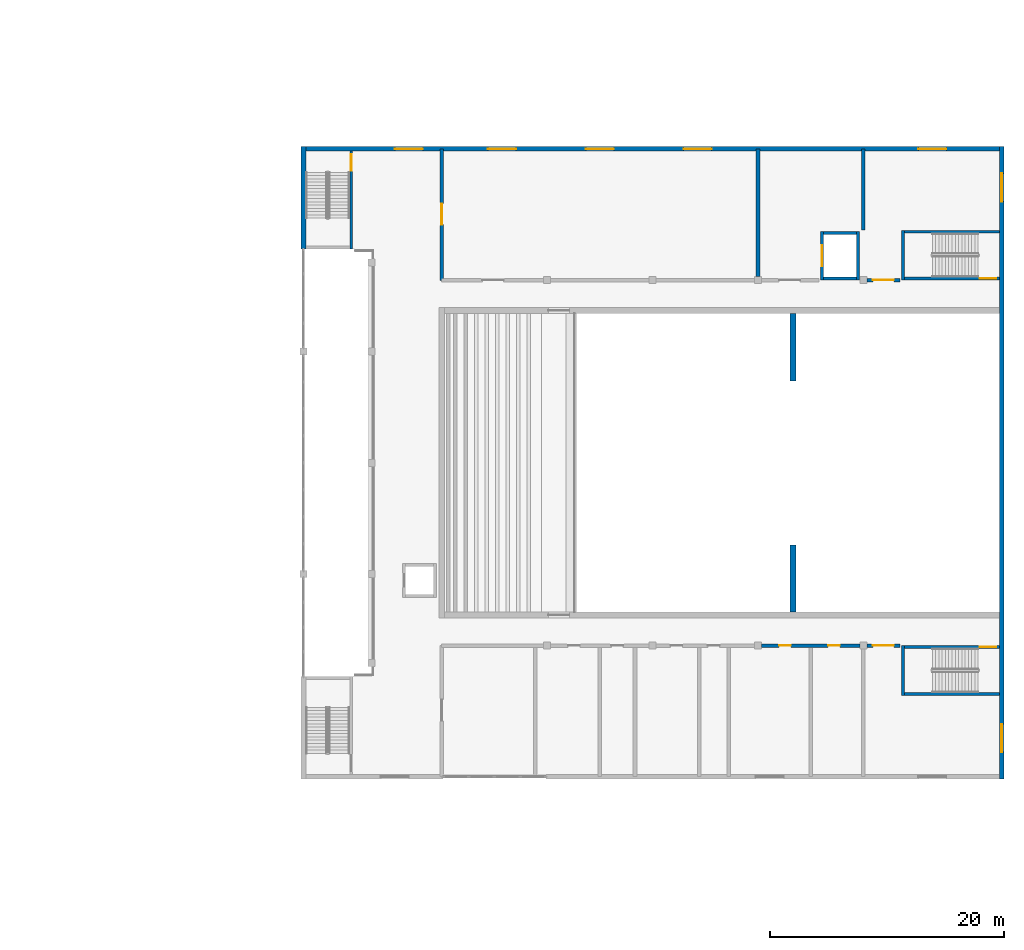
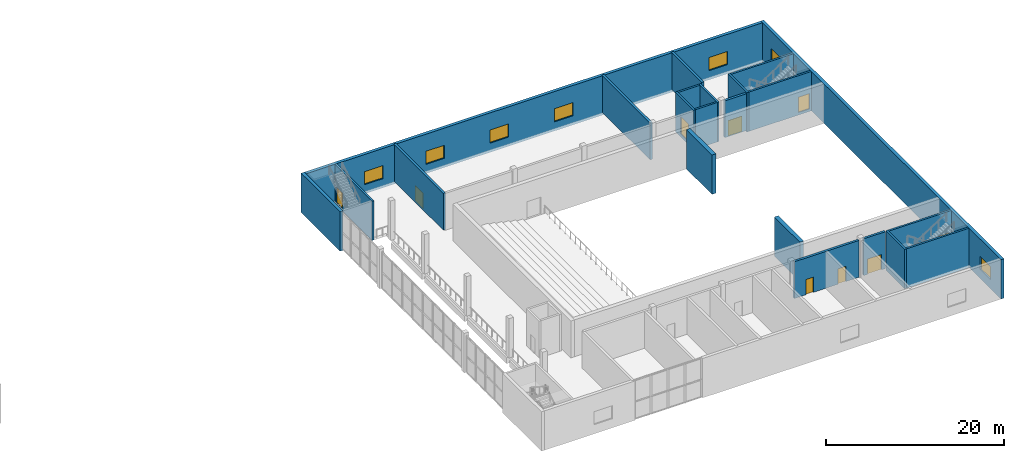
# One storey, part 23 of 43: 22 walls, 9 doors, 7 windows, 16 openings.
"""IFC4 building model written with IfcOpenShell, lengths in metres."""

from ifc_helpers import new_model, si_unit, direction, frame, frame_2d, origin, place, context, subcontext, project, spatial, rectangle, extrude, material, layer, layer_set, type_object, element, fill, save


model = new_model("IFC4")

# Units and contexts
model_context = context("Model", 3, precision=1e-05, world=origin(), true_north=direction((0.0, 1.0)))
body_context = subcontext(model_context, "Body", "Model", "MODEL_VIEW")
ifc_project = project(units=[si_unit("LENGTHUNIT", "METRE"), si_unit("AREAUNIT", "SQUARE_METRE"), si_unit("VOLUMEUNIT", "CUBIC_METRE"), si_unit("PLANEANGLEUNIT", "RADIAN"), si_unit("MASSUNIT", "GRAM", prefix="KILO")], contexts=[model_context])

# Site, building, storey
site_placement = place(None, origin())
site = spatial("IfcSite", under=ifc_project, at=site_placement, CompositionType="ELEMENT")
building_placement = place(site_placement, origin())
building = spatial("IfcBuilding", under=site, at=building_placement, Name="Hunhe Ridgeline Campus", CompositionType="ELEMENT")
storey_placement = place(building_placement, frame((0.0, 0.0, 11.39990234375)))
storey = spatial("IfcBuildingStorey", under=building, at=storey_placement, Name="L02", CompositionType="ELEMENT", Elevation=11.39990234375)

# Walls
ifc_material_1 = material(Name="Concrete C50", Category="concrete")
ifc_layer_1 = layer(ifc_material_1, 0.5)
ifc_layer_set_1 = layer_set([ifc_layer_1], Name="Auditorium RC wall 500 C50")
wall_type_1 = type_object("IfcWallType", Name="Auditorium RC wall 500 C50", PredefinedType="SOLIDWALL", material=ifc_layer_set_1)
for number, where, z_axis, x_axis, name in (
    (1, (192.0, 36.75, -0.349853515625), (0.0, 0.0, 1.0), (0.0, 1.0, 0.0), "Auditorium RC wall L02"),
    (2, (192.0, 56.5, -0.349853515625), (0.0, 0.0, 1.0), (0.0, 1.0, 0.0), "Auditorium RC wall L02"),
):
    element("IfcWall", number, at=place(storey_placement, frame(where, z_axis=z_axis, x_axis=x_axis)), inside=storey, type_object=wall_type_1, Name=name, PredefinedType="SOLIDWALL", context=body_context, shape_type="SweptSolid", body=[
        extrude(rectangle(XDim=5.75, YDim=0.5, at=frame_2d((2.875, 0.0))), origin(), (0.0, 0.0, 1.0), 5.39990234375),
    ])

# Wall, opening, door
ifc_material_2 = material(Name="Plastered blockwork", Category="masonry")
ifc_layer_2 = layer(ifc_material_2, 0.300048828125)
ifc_layer_set_2 = layer_set([ifc_layer_2], Name="Hall blockwork partition 300")
wall_type_2 = type_object("IfcWallType", Name="Hall blockwork partition 300", PredefinedType="PARTITIONING", material=ifc_layer_set_2)
wall_1_placement = place(storey_placement, frame((162.0, 65.080078125, 0.0), z_axis=(0.0, 0.0, 1.0), x_axis=(0.0, 1.0, 0.0)))
wall_1 = element("IfcWall", 3, at=wall_1_placement, inside=storey, type_object=wall_type_2, Name="L02 partition", PredefinedType="PARTITIONING", context=body_context, shape_type="SweptSolid", body=[
    extrude(rectangle(XDim=11.18994140625, YDim=0.300048828125, at=frame_2d((5.594970703125, 0.0))), origin(), (0.0, 0.0, 1.0), 5.050048828125),
])
opening_1_placement = place(wall_1_placement, frame((4.75, 0.0, 0.0)))
opening_1 = element("IfcOpeningElement", 4, at=opening_1_placement, cuts=wall_1, Name="Opening HD41", PredefinedType="OPENING", context=body_context, shape_type="SweptSolid", body=[
    extrude(rectangle(XDim=1.800048828125, YDim=2.10009765625, at=frame_2d((0.89990234375, 1.050048828125))), frame((0.0, 0.14990234375, 0.0), z_axis=(0.0, -1.0, 0.0), x_axis=(1.0, 0.0, 0.0)), (0.0, 0.0, 1.0), 0.300048828125),
])
ifc_material_3 = material(Name="Timber", Category="wood")
door_type_1 = type_object("IfcDoorType", Name="Hall timber double door 1800x2100", OperationType="DOUBLE_DOOR_SINGLE_SWING", PredefinedType="DOOR", material=ifc_material_3)
door_1_placement = place(opening_1_placement, origin())
door_1 = element("IfcDoor", 5, at=door_1_placement, inside=storey, type_object=door_type_1, Name="Rehearsal hall door", OperationType="DOUBLE_DOOR_SINGLE_SWING", OverallHeight=2.10009765625, OverallWidth=1.800048828125, PredefinedType="DOOR", context=body_context, shape_type="SweptSolid", body=[
    extrude(rectangle(XDim=1.800048828125, YDim=2.10009765625, at=frame_2d((0.89990234375, 1.050048828125))), frame((0.0, 0.02490234375, 0.0), z_axis=(0.0, -1.0, 0.0), x_axis=(1.0, 0.0, 0.0)), (0.0, 0.0, 1.0), 0.050048828125),
])
fill(opening_1, door_1)

# Wall, openings, doors
wall_2_placement = place(storey_placement, frame((189.300048828125, 33.89990234375, 0.0), z_axis=(0.0, 0.0, 1.0), x_axis=(1.0, 0.0, 0.0)))
wall_2 = element("IfcWall", 6, at=wall_2_placement, inside=storey, type_object=wall_type_2, Name="L02 partition", PredefinedType="PARTITIONING", context=body_context, shape_type="SweptSolid", body=[
    extrude(rectangle(XDim=8.39990234375, YDim=0.300048828125, at=frame_2d((4.199951171875, 0.0))), origin(), (0.0, 0.0, 1.0), 5.050048828125),
])
opening_2_placement = place(wall_2_placement, frame((1.5, 0.0, 0.0)))
opening_2 = element("IfcOpeningElement", 7, at=opening_2_placement, cuts=wall_2, Name="Opening HD38", PredefinedType="OPENING", context=body_context, shape_type="SweptSolid", body=[
    extrude(rectangle(XDim=1.0, YDim=2.10009765625, at=frame_2d((0.5, 1.050048828125))), frame((0.0, 0.14990234375, 0.0), z_axis=(0.0, -1.0, 0.0), x_axis=(1.0, 0.0, 0.0)), (0.0, 0.0, 1.0), 0.300048828125),
])
opening_3_placement = place(wall_2_placement, frame((5.679931640625, 0.0, 0.0)))
opening_3 = element("IfcOpeningElement", 8, at=opening_3_placement, cuts=wall_2, Name="Opening HD39", PredefinedType="OPENING", context=body_context, shape_type="SweptSolid", body=[
    extrude(rectangle(XDim=1.0, YDim=2.10009765625, at=frame_2d((0.5, 1.050048828125))), frame((0.0, 0.14990234375, 0.0), z_axis=(0.0, -1.0, 0.0), x_axis=(1.0, 0.0, 0.0)), (0.0, 0.0, 1.0), 0.300048828125),
])
door_type_2 = type_object("IfcDoorType", Name="Hall timber door 1000x2100", OperationType="NOTDEFINED", PredefinedType="DOOR", material=ifc_material_3)
door_2_placement = place(opening_2_placement, origin())
door_2 = element("IfcDoor", 9, at=door_2_placement, inside=storey, type_object=door_type_2, Name="Restaurant kitchen door", OperationType="SINGLE_SWING_LEFT", OverallHeight=2.10009765625, OverallWidth=1.0, PredefinedType="DOOR", context=body_context, shape_type="SweptSolid", body=[
    extrude(rectangle(XDim=1.0, YDim=2.10009765625, at=frame_2d((0.5, 1.050048828125))), frame((0.0, 0.02490234375, 0.0), z_axis=(0.0, -1.0, 0.0), x_axis=(1.0, 0.0, 0.0)), (0.0, 0.0, 1.0), 0.050048828125),
])
fill(opening_2, door_2)
door_3_placement = place(opening_3_placement, origin())
door_3 = element("IfcDoor", 10, at=door_3_placement, inside=storey, type_object=door_type_2, Name="Restaurant store door", OperationType="SINGLE_SWING_RIGHT", OverallHeight=2.10009765625, OverallWidth=1.0, PredefinedType="DOOR", context=body_context, shape_type="SweptSolid", body=[
    extrude(rectangle(XDim=1.0, YDim=2.10009765625, at=frame_2d((0.5, 1.050048828125))), frame((0.0, 0.02490234375, 0.0), z_axis=(0.0, -1.0, 0.0), x_axis=(1.0, 0.0, 0.0)), (0.0, 0.0, 1.0), 0.050048828125),
])
fill(opening_3, door_3)

# Wall, opening, door
wall_3_placement = place(storey_placement, frame((198.300048828125, 33.89990234375, 0.0), z_axis=(0.0, 0.0, 1.0), x_axis=(1.0, 0.0, 0.0)))
wall_3 = element("IfcWall", 11, at=wall_3_placement, inside=storey, type_object=wall_type_2, Name="L02 partition", PredefinedType="PARTITIONING", context=body_context, shape_type="SweptSolid", body=[
    extrude(rectangle(XDim=2.820068359375, YDim=0.300048828125, at=frame_2d((1.41015625, 0.0))), origin(), (0.0, 0.0, 1.0), 5.050048828125),
])
opening_4_placement = place(wall_3_placement, frame((0.5, 0.0, 0.0)))
opening_4 = element("IfcOpeningElement", 12, at=opening_4_placement, cuts=wall_3, Name="Opening HD40", PredefinedType="OPENING", context=body_context, shape_type="SweptSolid", body=[
    extrude(rectangle(XDim=1.800048828125, YDim=2.10009765625, at=frame_2d((0.89990234375, 1.050048828125))), frame((0.0, 0.14990234375, 0.0), z_axis=(0.0, -1.0, 0.0), x_axis=(1.0, 0.0, 0.0)), (0.0, 0.0, 1.0), 0.300048828125),
])
door_4_placement = place(opening_4_placement, origin())
door_4 = element("IfcDoor", 13, at=door_4_placement, inside=storey, type_object=door_type_1, Name="Practice room 1 door", OperationType="DOUBLE_DOOR_SINGLE_SWING", OverallHeight=2.10009765625, OverallWidth=1.800048828125, PredefinedType="DOOR", context=body_context, shape_type="SweptSolid", body=[
    extrude(rectangle(XDim=1.800048828125, YDim=2.10009765625, at=frame_2d((0.89990234375, 1.050048828125))), frame((0.0, 0.02490234375, 0.0), z_axis=(0.0, -1.0, 0.0), x_axis=(1.0, 0.0, 0.0)), (0.0, 0.0, 1.0), 0.050048828125),
])
fill(opening_4, door_4)

# Walls
wall_4_placement = place(storey_placement, frame((198.0, 69.3798828125, 0.0), z_axis=(0.0, 0.0, 1.0), x_axis=(0.0, 1.0, 0.0)))
element("IfcWall", 14, at=wall_4_placement, inside=storey, type_object=wall_type_2, Name="L02 partition", PredefinedType="PARTITIONING", context=body_context, shape_type="SweptSolid", body=[
    extrude(rectangle(XDim=6.89013671875, YDim=0.300048828125, at=frame_2d((3.445068359375, 0.0))), origin(), (0.0, 0.0, 1.0), 5.050048828125),
])
wall_5_placement = place(storey_placement, frame((189.0, 65.39990234375, 0.0), z_axis=(0.0, 0.0, 1.0), x_axis=(0.0, 1.0, 0.0)))
element("IfcWall", 15, at=wall_5_placement, inside=storey, type_object=wall_type_2, Name="L02 partition", PredefinedType="PARTITIONING", context=body_context, shape_type="SweptSolid", body=[
    extrude(rectangle(XDim=10.8701171875, YDim=0.300048828125, at=frame_2d((5.43505859375, 0.0))), origin(), (0.0, 0.0, 1.0), 5.050048828125),
])

# Wall, opening, door
wall_6_placement = place(storey_placement, frame((201.1201171875, 65.10009765625, 0.0), z_axis=(0.0, 0.0, 1.0), x_axis=(-1.0, 0.0, 0.0)))
wall_6 = element("IfcWall", 16, at=wall_6_placement, inside=storey, type_object=wall_type_2, Name="L02 partition", PredefinedType="PARTITIONING", context=body_context, shape_type="SweptSolid", body=[
    extrude(rectangle(XDim=2.820068359375, YDim=0.300048828125, at=frame_2d((1.41015625, 0.0))), origin(), (0.0, 0.0, 1.0), 5.050048828125),
])
opening_5_placement = place(wall_6_placement, frame((0.52001953125, 0.0, 0.0)))
opening_5 = element("IfcOpeningElement", 17, at=opening_5_placement, cuts=wall_6, Name="Opening HD44", PredefinedType="OPENING", context=body_context, shape_type="SweptSolid", body=[
    extrude(rectangle(XDim=1.800048828125, YDim=2.10009765625, at=frame_2d((0.89990234375, 1.050048828125))), frame((0.0, 0.14990234375, 0.0), z_axis=(0.0, -1.0, 0.0), x_axis=(1.0, 0.0, 0.0)), (0.0, 0.0, 1.0), 0.300048828125),
])
door_5_placement = place(opening_5_placement, origin())
door_5 = element("IfcDoor", 18, at=door_5_placement, inside=storey, type_object=door_type_1, Name="Practice room 2 door", OperationType="DOUBLE_DOOR_SINGLE_SWING", OverallHeight=2.10009765625, OverallWidth=1.800048828125, PredefinedType="DOOR", context=body_context, shape_type="SweptSolid", body=[
    extrude(rectangle(XDim=1.800048828125, YDim=2.10009765625, at=frame_2d((0.89990234375, 1.050048828125))), frame((0.0, 0.02490234375, 0.0), z_axis=(0.0, -1.0, 0.0), x_axis=(1.0, 0.0, 0.0)), (0.0, 0.0, 1.0), 0.050048828125),
])
fill(opening_5, door_5)

# Wall
ifc_material_4 = material(Name="Concrete C40", Category="concrete")
ifc_layer_3 = layer(ifc_material_4, 0.39990234375)
ifc_layer_set_3 = layer_set([ifc_layer_3], Name="Hall external RC wall 400 C40")
wall_type_3 = type_object("IfcWallType", Name="Hall external RC wall 400 C40", PredefinedType="SOLIDWALL", material=ifc_layer_set_3)
wall_7_placement = place(storey_placement, frame((150.199951171875, 67.75, -0.349853515625), z_axis=(0.0, 0.0, 1.0), x_axis=(0.0, 1.0, 0.0)))
element("IfcWall", 19, at=wall_7_placement, inside=storey, type_object=wall_type_3, Name="Hall L02 west wall 3", PredefinedType="SOLIDWALL", context=body_context, shape_type="SweptSolid", body=[
    extrude(rectangle(XDim=8.75, YDim=0.39990234375, at=frame_2d((4.375, 0.0))), origin(), (0.0, 0.0, 1.0), 5.39990234375),
])

# Wall, openings, windows
wall_8_placement = place(storey_placement, frame((209.800048828125, 76.5, -0.349853515625), z_axis=(0.0, 0.0, 1.0), x_axis=(0.0, -1.0, 0.0)))
wall_8 = element("IfcWall", 20, at=wall_8_placement, inside=storey, type_object=wall_type_3, Name="Hall L02 east wall", PredefinedType="SOLIDWALL", context=body_context, shape_type="SweptSolid", body=[
    extrude(rectangle(XDim=54.0, YDim=0.39990234375, at=frame_2d((27.0, 0.0))), origin(), (0.0, 0.0, 1.0), 5.39990234375),
])
opening_6_placement = place(wall_8_placement, frame((49.300048828125, 0.0, 1.25)))
opening_6 = element("IfcOpeningElement", 21, at=opening_6_placement, cuts=wall_8, Name="Opening HWN09", PredefinedType="OPENING", context=body_context, shape_type="SweptSolid", body=[
    extrude(rectangle(XDim=2.39990234375, YDim=1.800048828125, at=frame_2d((1.199951171875, 0.89990234375))), frame((0.0, 0.199951171875, 0.0), z_axis=(0.0, -1.0, 0.0), x_axis=(1.0, 0.0, 0.0)), (0.0, 0.0, 1.0), 0.39990234375),
])
opening_7_placement = place(wall_8_placement, frame((2.300048828125, 0.0, 1.25)))
opening_7 = element("IfcOpeningElement", 22, at=opening_7_placement, cuts=wall_8, Name="Opening HWN11", PredefinedType="OPENING", context=body_context, shape_type="SweptSolid", body=[
    extrude(rectangle(XDim=2.39990234375, YDim=1.800048828125, at=frame_2d((1.199951171875, 0.89990234375))), frame((0.0, 0.199951171875, 0.0), z_axis=(0.0, -1.0, 0.0), x_axis=(1.0, 0.0, 0.0)), (0.0, 0.0, 1.0), 0.39990234375),
])
ifc_material_5 = material(Name="Aluminium and glass", Category="aluminium")
window_type = type_object("IfcWindowType", Name="Hall window 2400x1800", PartitioningType="SINGLE_PANEL", PredefinedType="WINDOW", material=ifc_material_5)
window_1_placement = place(opening_6_placement, origin())
window_1 = element("IfcWindow", 23, at=window_1_placement, inside=storey, type_object=window_type, Name="L02 window", OverallHeight=1.800048828125, OverallWidth=2.39990234375, PartitioningType="SINGLE_PANEL", PredefinedType="WINDOW", context=body_context, shape_type="SweptSolid", body=[
    extrude(rectangle(XDim=2.39990234375, YDim=1.800048828125, at=frame_2d((1.199951171875, 0.89990234375))), frame((0.0, 0.030029296875, 0.0), z_axis=(0.0, -1.0, 0.0), x_axis=(1.0, 0.0, 0.0)), (0.0, 0.0, 1.0), 0.06005859375),
])
fill(opening_6, window_1)
window_2_placement = place(opening_7_placement, origin())
window_2 = element("IfcWindow", 24, at=window_2_placement, inside=storey, type_object=window_type, Name="L02 window", OverallHeight=1.800048828125, OverallWidth=2.39990234375, PartitioningType="SINGLE_PANEL", PredefinedType="WINDOW", context=body_context, shape_type="SweptSolid", body=[
    extrude(rectangle(XDim=2.39990234375, YDim=1.800048828125, at=frame_2d((1.199951171875, 0.89990234375))), frame((0.0, 0.030029296875, 0.0), z_axis=(0.0, -1.0, 0.0), x_axis=(1.0, 0.0, 0.0)), (0.0, 0.0, 1.0), 0.06005859375),
])
fill(opening_7, window_2)

wall_9_placement = place(storey_placement, frame((150.39990234375, 76.300048828125, -0.349853515625), z_axis=(0.0, 0.0, 1.0), x_axis=(1.0, 0.0, 0.0)))
wall_9 = element("IfcWall", 25, at=wall_9_placement, inside=storey, type_object=wall_type_3, Name="Hall L02 north wall", PredefinedType="SOLIDWALL", context=body_context, shape_type="SweptSolid", body=[
    extrude(rectangle(XDim=59.2001953125, YDim=0.39990234375, at=frame_2d((29.60009765625, 0.0))), origin(), (0.0, 0.0, 1.0), 5.39990234375),
])
opening_8_placement = place(wall_9_placement, frame((7.60009765625, 0.0, 1.25)))
opening_8 = element("IfcOpeningElement", 26, at=opening_8_placement, cuts=wall_9, Name="Opening HWN06", PredefinedType="OPENING", context=body_context, shape_type="SweptSolid", body=[
    extrude(rectangle(XDim=2.39990234375, YDim=1.800048828125, at=frame_2d((1.199951171875, 0.89990234375))), frame((0.0, 0.199951171875, 0.0), z_axis=(0.0, -1.0, 0.0), x_axis=(1.0, 0.0, 0.0)), (0.0, 0.0, 1.0), 0.39990234375),
])
opening_9_placement = place(wall_9_placement, frame((15.550048828125, 0.0, 1.25)))
opening_9 = element("IfcOpeningElement", 27, at=opening_9_placement, cuts=wall_9, Name="Opening HWN29", PredefinedType="OPENING", context=body_context, shape_type="SweptSolid", body=[
    extrude(rectangle(XDim=2.39990234375, YDim=1.800048828125, at=frame_2d((1.199951171875, 0.89990234375))), frame((0.0, 0.199951171875, 0.0), z_axis=(0.0, -1.0, 0.0), x_axis=(1.0, 0.0, 0.0)), (0.0, 0.0, 1.0), 0.39990234375),
])
opening_10_placement = place(wall_9_placement, frame((23.89990234375, 0.0, 1.25)))
opening_10 = element("IfcOpeningElement", 28, at=opening_10_placement, cuts=wall_9, Name="Opening HWN30", PredefinedType="OPENING", context=body_context, shape_type="SweptSolid", body=[
    extrude(rectangle(XDim=2.39990234375, YDim=1.800048828125, at=frame_2d((1.199951171875, 0.89990234375))), frame((0.0, 0.199951171875, 0.0), z_axis=(0.0, -1.0, 0.0), x_axis=(1.0, 0.0, 0.0)), (0.0, 0.0, 1.0), 0.39990234375),
])
opening_11_placement = place(wall_9_placement, frame((32.25, 0.0, 1.25)))
opening_11 = element("IfcOpeningElement", 29, at=opening_11_placement, cuts=wall_9, Name="Opening HWN31", PredefinedType="OPENING", context=body_context, shape_type="SweptSolid", body=[
    extrude(rectangle(XDim=2.39990234375, YDim=1.800048828125, at=frame_2d((1.199951171875, 0.89990234375))), frame((0.0, 0.199951171875, 0.0), z_axis=(0.0, -1.0, 0.0), x_axis=(1.0, 0.0, 0.0)), (0.0, 0.0, 1.0), 0.39990234375),
])
opening_12_placement = place(wall_9_placement, frame((52.280029296875, 0.0, 1.25)))
opening_12 = element("IfcOpeningElement", 30, at=opening_12_placement, cuts=wall_9, Name="Opening HWN32", PredefinedType="OPENING", context=body_context, shape_type="SweptSolid", body=[
    extrude(rectangle(XDim=2.39990234375, YDim=1.800048828125, at=frame_2d((1.199951171875, 0.89990234375))), frame((0.0, 0.199951171875, 0.0), z_axis=(0.0, -1.0, 0.0), x_axis=(1.0, 0.0, 0.0)), (0.0, 0.0, 1.0), 0.39990234375),
])
window_3_placement = place(opening_8_placement, origin())
window_3 = element("IfcWindow", 31, at=window_3_placement, inside=storey, type_object=window_type, Name="L02 window", OverallHeight=1.800048828125, OverallWidth=2.39990234375, PartitioningType="SINGLE_PANEL", PredefinedType="WINDOW", context=body_context, shape_type="SweptSolid", body=[
    extrude(rectangle(XDim=2.39990234375, YDim=1.800048828125, at=frame_2d((1.199951171875, 0.89990234375))), frame((0.0, 0.030029296875, 0.0), z_axis=(0.0, -1.0, 0.0), x_axis=(1.0, 0.0, 0.0)), (0.0, 0.0, 1.0), 0.06005859375),
])
fill(opening_8, window_3)
window_4_placement = place(opening_9_placement, origin())
window_4 = element("IfcWindow", 32, at=window_4_placement, inside=storey, type_object=window_type, Name="L02 window", OverallHeight=1.800048828125, OverallWidth=2.39990234375, PartitioningType="SINGLE_PANEL", PredefinedType="WINDOW", context=body_context, shape_type="SweptSolid", body=[
    extrude(rectangle(XDim=2.39990234375, YDim=1.800048828125, at=frame_2d((1.199951171875, 0.89990234375))), frame((0.0, 0.030029296875, 0.0), z_axis=(0.0, -1.0, 0.0), x_axis=(1.0, 0.0, 0.0)), (0.0, 0.0, 1.0), 0.06005859375),
])
fill(opening_9, window_4)
window_5_placement = place(opening_10_placement, origin())
window_5 = element("IfcWindow", 33, at=window_5_placement, inside=storey, type_object=window_type, Name="L02 window", OverallHeight=1.800048828125, OverallWidth=2.39990234375, PartitioningType="SINGLE_PANEL", PredefinedType="WINDOW", context=body_context, shape_type="SweptSolid", body=[
    extrude(rectangle(XDim=2.39990234375, YDim=1.800048828125, at=frame_2d((1.199951171875, 0.89990234375))), frame((0.0, 0.030029296875, 0.0), z_axis=(0.0, -1.0, 0.0), x_axis=(1.0, 0.0, 0.0)), (0.0, 0.0, 1.0), 0.06005859375),
])
fill(opening_10, window_5)
window_6_placement = place(opening_11_placement, origin())
window_6 = element("IfcWindow", 34, at=window_6_placement, inside=storey, type_object=window_type, Name="L02 window", OverallHeight=1.800048828125, OverallWidth=2.39990234375, PartitioningType="SINGLE_PANEL", PredefinedType="WINDOW", context=body_context, shape_type="SweptSolid", body=[
    extrude(rectangle(XDim=2.39990234375, YDim=1.800048828125, at=frame_2d((1.199951171875, 0.89990234375))), frame((0.0, 0.030029296875, 0.0), z_axis=(0.0, -1.0, 0.0), x_axis=(1.0, 0.0, 0.0)), (0.0, 0.0, 1.0), 0.06005859375),
])
fill(opening_11, window_6)
window_7_placement = place(opening_12_placement, origin())
window_7 = element("IfcWindow", 35, at=window_7_placement, inside=storey, type_object=window_type, Name="L02 window", OverallHeight=1.800048828125, OverallWidth=2.39990234375, PartitioningType="SINGLE_PANEL", PredefinedType="WINDOW", context=body_context, shape_type="SweptSolid", body=[
    extrude(rectangle(XDim=2.39990234375, YDim=1.800048828125, at=frame_2d((1.199951171875, 0.89990234375))), frame((0.0, 0.030029296875, 0.0), z_axis=(0.0, -1.0, 0.0), x_axis=(1.0, 0.0, 0.0)), (0.0, 0.0, 1.0), 0.06005859375),
])
fill(opening_12, window_7)

# Wall, opening, door
ifc_layer_4 = layer(ifc_material_4, 0.25)
ifc_layer_set_4 = layer_set([ifc_layer_4], Name="Hall shaft wall 250 C40")
wall_type_4 = type_object("IfcWallType", Name="Hall shaft wall 250 C40", PredefinedType="SOLIDWALL", material=ifc_layer_set_4)
wall_10_placement = place(storey_placement, frame((154.27490234375, 76.10009765625, -0.349853515625), z_axis=(0.0, 0.0, 1.0), x_axis=(0.0, -1.0, 0.0)))
wall_10 = element("IfcWall", 36, at=wall_10_placement, inside=storey, type_object=wall_type_4, Name="L02 stair HS2 shaft wall", PredefinedType="SOLIDWALL", context=body_context, shape_type="SweptSolid", body=[
    extrude(rectangle(XDim=8.35009765625, YDim=0.25, at=frame_2d((4.175048828125, 0.0))), origin(), (0.0, 0.0, 1.0), 5.39990234375),
])
opening_13_placement = place(wall_10_placement, frame((0.25, 0.0, 0.35009765625)))
opening_13 = element("IfcOpeningElement", 37, at=opening_13_placement, cuts=wall_10, Name="Opening HD99", PredefinedType="OPENING", context=body_context, shape_type="SweptSolid", body=[
    extrude(rectangle(XDim=1.39990234375, YDim=2.10009765625, at=frame_2d((0.699951171875, 1.050048828125))), frame((0.0, 0.125, 0.0), z_axis=(0.0, -1.0, 0.0), x_axis=(1.0, 0.0, 0.0)), (0.0, 0.0, 1.0), 0.25),
])
ifc_material_6 = material(Name="Steel Q235", Category="steel")
door_type_3 = type_object("IfcDoorType", Name="Hall fire door 1400x2100 FD60", OperationType="NOTDEFINED", PredefinedType="DOOR", material=ifc_material_6)
door_6_placement = place(opening_13_placement, origin())
door_6 = element("IfcDoor", 38, at=door_6_placement, inside=storey, type_object=door_type_3, Name="L02 stair HS2 door", OperationType="SINGLE_SWING_RIGHT", OverallHeight=2.10009765625, OverallWidth=1.39990234375, PredefinedType="DOOR", context=body_context, shape_type="SweptSolid", body=[
    extrude(rectangle(XDim=1.39990234375, YDim=2.10009765625, at=frame_2d((0.699951171875, 1.050048828125))), frame((0.0, 0.02490234375, 0.0), z_axis=(0.0, -1.0, 0.0), x_axis=(1.0, 0.0, 0.0)), (0.0, 0.0, 1.0), 0.050048828125),
])
fill(opening_13, door_6)

# Walls
wall_11_placement = place(storey_placement, frame((201.375, 29.64990234375, -0.349853515625), z_axis=(0.0, 0.0, 1.0), x_axis=(0.0, 1.0, 0.0)))
element("IfcWall", 39, at=wall_11_placement, inside=storey, type_object=wall_type_4, Name="L02 stair HS3 shaft wall", PredefinedType="SOLIDWALL", context=body_context, shape_type="SweptSolid", body=[
    extrude(rectangle(XDim=4.25, YDim=0.25, at=frame_2d((2.125, 0.0))), origin(), (0.0, 0.0, 1.0), 5.39990234375),
])
wall_12_placement = place(storey_placement, frame((209.60009765625, 29.77490234375, -0.349853515625), z_axis=(0.0, 0.0, 1.0), x_axis=(-1.0, 0.0, 0.0)))
element("IfcWall", 40, at=wall_12_placement, inside=storey, type_object=wall_type_4, Name="L02 stair HS3 shaft wall", PredefinedType="SOLIDWALL", context=body_context, shape_type="SweptSolid", body=[
    extrude(rectangle(XDim=8.10009765625, YDim=0.25, at=frame_2d((4.050048828125, 0.0))), origin(), (0.0, 0.0, 1.0), 5.39990234375),
])

# Wall, opening, door
wall_13_placement = place(storey_placement, frame((201.5, 33.77490234375, -0.349853515625), z_axis=(0.0, 0.0, 1.0), x_axis=(1.0, 0.0, 0.0)))
wall_13 = element("IfcWall", 41, at=wall_13_placement, inside=storey, type_object=wall_type_4, Name="L02 stair HS3 shaft wall", PredefinedType="SOLIDWALL", context=body_context, shape_type="SweptSolid", body=[
    extrude(rectangle(XDim=8.10009765625, YDim=0.25, at=frame_2d((4.050048828125, 0.0))), origin(), (0.0, 0.0, 1.0), 5.39990234375),
])
opening_14_placement = place(wall_13_placement, frame((6.449951171875, 0.0, 0.35009765625)))
opening_14 = element("IfcOpeningElement", 42, at=opening_14_placement, cuts=wall_13, Name="Opening HD103", PredefinedType="OPENING", context=body_context, shape_type="SweptSolid", body=[
    extrude(rectangle(XDim=1.39990234375, YDim=2.10009765625, at=frame_2d((0.699951171875, 1.050048828125))), frame((0.0, 0.125, 0.0), z_axis=(0.0, -1.0, 0.0), x_axis=(1.0, 0.0, 0.0)), (0.0, 0.0, 1.0), 0.25),
])
door_7_placement = place(opening_14_placement, origin())
door_7 = element("IfcDoor", 43, at=door_7_placement, inside=storey, type_object=door_type_3, Name="L02 stair HS3 door", OperationType="SINGLE_SWING_LEFT", OverallHeight=2.10009765625, OverallWidth=1.39990234375, PredefinedType="DOOR", context=body_context, shape_type="SweptSolid", body=[
    extrude(rectangle(XDim=1.39990234375, YDim=2.10009765625, at=frame_2d((0.699951171875, 1.050048828125))), frame((0.0, 0.02490234375, 0.0), z_axis=(0.0, -1.0, 0.0), x_axis=(1.0, 0.0, 0.0)), (0.0, 0.0, 1.0), 0.050048828125),
])
fill(opening_14, door_7)

# Wall
wall_14_placement = place(storey_placement, frame((201.375, 65.10009765625, -0.349853515625), z_axis=(0.0, 0.0, 1.0), x_axis=(0.0, 1.0, 0.0)))
element("IfcWall", 44, at=wall_14_placement, inside=storey, type_object=wall_type_4, Name="L02 stair HS4 shaft wall", PredefinedType="SOLIDWALL", context=body_context, shape_type="SweptSolid", body=[
    extrude(rectangle(XDim=4.25, YDim=0.25, at=frame_2d((2.125, 0.0))), origin(), (0.0, 0.0, 1.0), 5.39990234375),
])

# Wall, opening, door
wall_15_placement = place(storey_placement, frame((209.60009765625, 65.22509765625, -0.349853515625), z_axis=(0.0, 0.0, 1.0), x_axis=(-1.0, 0.0, 0.0)))
wall_15 = element("IfcWall", 45, at=wall_15_placement, inside=storey, type_object=wall_type_4, Name="L02 stair HS4 shaft wall", PredefinedType="SOLIDWALL", context=body_context, shape_type="SweptSolid", body=[
    extrude(rectangle(XDim=8.10009765625, YDim=0.25, at=frame_2d((4.050048828125, 0.0))), origin(), (0.0, 0.0, 1.0), 5.39990234375),
])
opening_15_placement = place(wall_15_placement, frame((0.25, 0.0, 0.35009765625)))
opening_15 = element("IfcOpeningElement", 46, at=opening_15_placement, cuts=wall_15, Name="Opening HD107", PredefinedType="OPENING", context=body_context, shape_type="SweptSolid", body=[
    extrude(rectangle(XDim=1.39990234375, YDim=2.10009765625, at=frame_2d((0.699951171875, 1.050048828125))), frame((0.0, 0.125, 0.0), z_axis=(0.0, -1.0, 0.0), x_axis=(1.0, 0.0, 0.0)), (0.0, 0.0, 1.0), 0.25),
])
door_8_placement = place(opening_15_placement, origin())
door_8 = element("IfcDoor", 47, at=door_8_placement, inside=storey, type_object=door_type_3, Name="L02 stair HS4 door", OperationType="SINGLE_SWING_RIGHT", OverallHeight=2.10009765625, OverallWidth=1.39990234375, PredefinedType="DOOR", context=body_context, shape_type="SweptSolid", body=[
    extrude(rectangle(XDim=1.39990234375, YDim=2.10009765625, at=frame_2d((0.699951171875, 1.050048828125))), frame((0.0, 0.02490234375, 0.0), z_axis=(0.0, -1.0, 0.0), x_axis=(1.0, 0.0, 0.0)), (0.0, 0.0, 1.0), 0.050048828125),
])
fill(opening_15, door_8)

# Wall
wall_16_placement = place(storey_placement, frame((201.5, 69.22509765625, -0.349853515625), z_axis=(0.0, 0.0, 1.0), x_axis=(1.0, 0.0, 0.0)))
element("IfcWall", 48, at=wall_16_placement, inside=storey, type_object=wall_type_4, Name="L02 stair HS4 shaft wall", PredefinedType="SOLIDWALL", context=body_context, shape_type="SweptSolid", body=[
    extrude(rectangle(XDim=8.10009765625, YDim=0.25, at=frame_2d((4.050048828125, 0.0))), origin(), (0.0, 0.0, 1.0), 5.39990234375),
])

# Wall, opening, door
wall_17_placement = place(storey_placement, frame((194.47509765625, 65.10009765625, -0.349853515625), z_axis=(0.0, 0.0, 1.0), x_axis=(0.0, 1.0, 0.0)))
wall_17 = element("IfcWall", 49, at=wall_17_placement, inside=storey, type_object=wall_type_4, Name="L02 lift HL2 shaft wall", PredefinedType="SOLIDWALL", context=body_context, shape_type="SweptSolid", body=[
    extrude(rectangle(XDim=4.14990234375, YDim=0.25, at=frame_2d((2.074951171875, 0.0))), origin(), (0.0, 0.0, 1.0), 5.39990234375),
])
opening_16_placement = place(wall_17_placement, frame((1.175048828125, 0.0, 0.35009765625)))
opening_16 = element("IfcOpeningElement", 50, at=opening_16_placement, cuts=wall_17, Name="Opening LDG", PredefinedType="OPENING", context=body_context, shape_type="SweptSolid", body=[
    extrude(rectangle(XDim=1.800048828125, YDim=2.39990234375, at=frame_2d((0.89990234375, 1.199951171875))), frame((0.0, 0.125, 0.0), z_axis=(0.0, -1.0, 0.0), x_axis=(1.0, 0.0, 0.0)), (0.0, 0.0, 1.0), 0.25),
])
ifc_material_7 = material(Name="Stainless steel sliding leaves", Category="steel")
door_type_4 = type_object("IfcDoorType", Name="Hall goods lift landing door 1800x2400", OperationType="SLIDING_TO_LEFT", PredefinedType="DOOR", material=ifc_material_7)
door_9_placement = place(opening_16_placement, origin())
door_9 = element("IfcDoor", 51, at=door_9_placement, inside=storey, type_object=door_type_4, Name="L02 lift HL2 landing door", OperationType="SLIDING_TO_RIGHT", OverallHeight=2.39990234375, OverallWidth=1.800048828125, PredefinedType="DOOR", context=body_context, shape_type="SweptSolid", body=[
    extrude(rectangle(XDim=1.800048828125, YDim=2.39990234375, at=frame_2d((0.89990234375, 1.199951171875))), frame((0.0, 0.02490234375, 0.0), z_axis=(0.0, -1.0, 0.0), x_axis=(1.0, 0.0, 0.0)), (0.0, 0.0, 1.0), 0.050048828125),
])
fill(opening_16, door_9)

# Walls
wall_18_placement = place(storey_placement, frame((197.52490234375, 69.25, -0.349853515625), z_axis=(0.0, 0.0, 1.0), x_axis=(0.0, -1.0, 0.0)))
element("IfcWall", 52, at=wall_18_placement, inside=storey, type_object=wall_type_4, Name="L02 lift HL2 shaft wall", PredefinedType="SOLIDWALL", context=body_context, shape_type="SweptSolid", body=[
    extrude(rectangle(XDim=4.14990234375, YDim=0.25, at=frame_2d((2.074951171875, 0.0))), origin(), (0.0, 0.0, 1.0), 5.39990234375),
])
for number, where, z_axis, x_axis, name in (
    (53, (197.39990234375, 65.22509765625, -0.349853515625), (0.0, 0.0, 1.0), (-1.0, 0.0, 0.0), "L02 lift HL2 shaft wall"),
    (54, (194.60009765625, 69.125, -0.349853515625), (0.0, 0.0, 1.0), (1.0, 0.0, 0.0), "L02 lift HL2 shaft wall"),
):
    element("IfcWall", number, at=place(storey_placement, frame(where, z_axis=z_axis, x_axis=x_axis)), inside=storey, type_object=wall_type_4, Name=name, PredefinedType="SOLIDWALL", context=body_context, shape_type="SweptSolid", body=[
        extrude(rectangle(XDim=2.7998046875, YDim=0.25, at=frame_2d((1.39990234375, 0.0))), origin(), (0.0, 0.0, 1.0), 5.39990234375),
    ])

save(model, "model.ifc")
